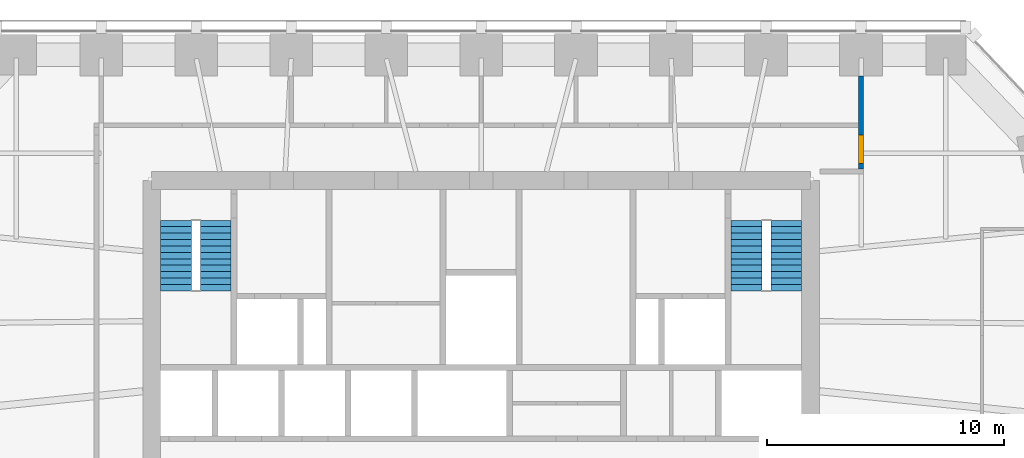
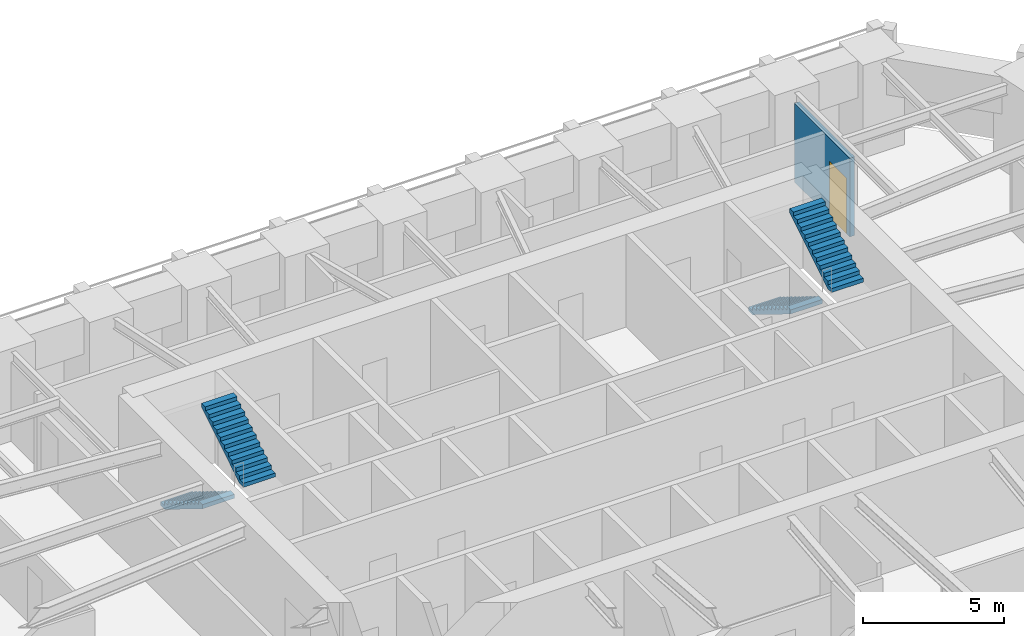
# One storey, part 8 of 10: 4 stair flights, 1 door, 1 wall, 1 opening, 2 elements without a shape of their own.
"""IFC4 building model written with IfcOpenShell, lengths in metres."""

from ifc_helpers import new_model, si_unit, direction, frame, frame_2d, origin, place, context, subcontext, project, spatial, polyline, rectangle, outline, extrude, material, layer, layer_set, type_object, element, fill, aggregate, save


model = new_model("IFC4")

# Units and contexts
model_context = context("Model", 3, precision=1e-05, world=origin(), true_north=direction((0.0, 1.0)))
body_context = subcontext(model_context, "Body", "Model", "MODEL_VIEW")
ifc_project = project(units=[si_unit("LENGTHUNIT", "METRE"), si_unit("AREAUNIT", "SQUARE_METRE"), si_unit("VOLUMEUNIT", "CUBIC_METRE"), si_unit("PLANEANGLEUNIT", "RADIAN"), si_unit("MASSUNIT", "GRAM", prefix="KILO")], contexts=[model_context])

# Site, building, storey
site_placement = place(None, origin())
site = spatial("IfcSite", under=ifc_project, at=site_placement, CompositionType="ELEMENT")
building_placement = place(site_placement, origin())
building = spatial("IfcBuilding", under=site, at=building_placement, Name="Isbrekke Arena Tower", CompositionType="ELEMENT")
storey_placement = place(building_placement, frame((0.0, 0.0, 139.0)))
storey = spatial("IfcBuildingStorey", under=building, at=storey_placement, Name="L31", CompositionType="ELEMENT", Elevation=139.0)

# Wall, opening, door
ifc_material_1 = material(Name="Gypsum board fire-cell wall on steel studs, two layers each side", Category="steel")
ifc_layer = layer(ifc_material_1, 0.199951171875)
ifc_layer_set = layer_set([ifc_layer], Name="IW3 FIRE-CELL WALL 200")
wall_type = type_object("IfcWallType", Name="IW3 FIRE-CELL WALL 200", PredefinedType="PARTITIONING", material=ifc_layer_set)
wall_placement = place(storey_placement, frame((16.0, 24.35009765625, 0.0), z_axis=(0.0, 0.0, 1.0), x_axis=(0.0, 1.0, 0.0)))
wall = element("IfcWall", 1, at=wall_placement, inside=storey, type_object=wall_type, Name="IW3 fire-cell wall 200 L31", PredefinedType="PARTITIONING", context=body_context, shape_type="SweptSolid", body=[
    extrude(rectangle(XDim=3.9248046875, YDim=0.199951171875, at=frame_2d((1.96240234375, 0.0))), origin(), (0.0, 0.0, 1.0), 3.39990234375),
])
opening_placement = place(wall_placement, frame((0.25, 0.0, 0.0)))
opening = element("IfcOpeningElement", 2, at=opening_placement, cuts=wall, Name="Opening D12", PredefinedType="OPENING", context=body_context, shape_type="SweptSolid", body=[
    extrude(rectangle(XDim=1.199951171875, YDim=2.39990234375, at=frame_2d((0.60009765625, 1.199951171875))), frame((0.0, 0.11474609375, 0.0), z_axis=(0.0, -1.0, 0.0), x_axis=(1.0, 0.0, 0.0)), (0.0, 0.0, 1.0), 0.229736328125),
])
ifc_material_2 = material(Name="Timber fire door with vision panel", Category="wood")
door_type = type_object("IfcDoorType", Name="D12 SUITE ENTRANCE DOOR 1200 x 2400", OperationType="SINGLE_SWING_LEFT", PredefinedType="DOOR", material=ifc_material_2)
door_placement = place(opening_placement, origin())
door = element("IfcDoor", 3, at=door_placement, inside=storey, type_object=door_type, Name="D12 suite entrance A door L31", OperationType="SINGLE_SWING_LEFT", OverallHeight=2.39990234375, OverallWidth=1.199951171875, PredefinedType="DOOR", context=body_context, shape_type="SweptSolid", body=[
    extrude(rectangle(XDim=1.199951171875, YDim=2.39990234375, at=frame_2d((0.60009765625, 1.199951171875))), frame((0.0, 0.099609375, 0.0), z_axis=(0.0, -1.0, 0.0), x_axis=(1.0, 0.0, 0.0)), (0.0, 0.0, 1.0), 0.199462890625),
])
fill(opening, door)

# Stair, stair flights
ifc_material_3 = material(Name="Concrete B45 (C45/55) precast", Category="concrete")
stair_type = type_object("IfcStairType", Name="ST40 STAIR 1300 WIDE, 24 RISERS 167", PredefinedType="HALF_TURN_STAIR", material=ifc_material_3)
stair_1_placement = place(storey_placement, origin())
stair_1 = element("IfcStair", 4, at=stair_1_placement, inside=storey, type_object=stair_type, Name="ST1 stair L31", PredefinedType="HALF_TURN_STAIR")
ifc_material_4 = material(Name="Concrete B45 (C45/55) precast", Category="concrete")
stair_flight_type = type_object("IfcStairFlightType", Name="SF 1300 FLIGHT", PredefinedType="STRAIGHT", material=ifc_material_4)
stair_flight_1_placement = place(storey_placement, frame((-12.85009765625, 22.199951171875, 0.0), z_axis=(0.0, 0.0, 1.0), x_axis=(0.0, -1.0, 0.0)))
stair_flight_1 = element("IfcStairFlight", 5, at=stair_flight_1_placement, type_object=stair_flight_type, Name="ST1 flight 1", NumberOfRisers=12, NumberOfTreads=11, PredefinedType="STRAIGHT", RiserHeight=0.166666667, TreadLength=0.27, context=body_context, shape_type="SweptSolid", body=[
    extrude(outline(polyline([(0.0, 0.0), (0.0, 0.166748046875), (0.27001953125, 0.166748046875), (0.27001953125, 0.333251953125), (0.5400390625, 0.333251953125), (0.5400390625, 0.5), (0.81005859375, 0.5), (0.81005859375, 0.666748046875), (1.080078125, 0.666748046875), (1.080078125, 0.833251953125), (1.35009765625, 0.833251953125), (1.35009765625, 1.0), (1.6201171875, 1.0), (1.6201171875, 1.166748046875), (1.889892578125, 1.166748046875), (1.889892578125, 1.333251953125), (2.159912109375, 1.333251953125), (2.159912109375, 1.5), (2.429931640625, 1.5), (2.429931640625, 1.666748046875), (2.699951171875, 1.666748046875), (2.699951171875, 1.833251953125), (2.969970703125, 1.833251953125), (2.969970703125, 2.0), (2.969970703125, 1.6572265625), (0.285400390625, 0.0), (0.0, 0.0)])), frame((0.0, 0.64990234375, 0.0), z_axis=(0.0, -1.0, 0.0), x_axis=(1.0, 0.0, 0.0)), (0.0, 0.0, 1.0), 1.300048828125),
])
stair_flight_2_placement = place(storey_placement, frame((-11.175048828125, 19.22998046875, 2.0), z_axis=(0.0, 0.0, 1.0), x_axis=(0.0, 1.0, 0.0)))
stair_flight_2 = element("IfcStairFlight", 6, at=stair_flight_2_placement, type_object=stair_flight_type, Name="ST1 flight 2", NumberOfRisers=12, NumberOfTreads=11, PredefinedType="STRAIGHT", RiserHeight=0.166666667, TreadLength=0.27, context=body_context, shape_type="SweptSolid", body=[
    extrude(outline(polyline([(0.0, 0.0), (0.0, 0.166748046875), (0.27001953125, 0.166748046875), (0.27001953125, 0.333251953125), (0.5400390625, 0.333251953125), (0.5400390625, 0.5), (0.81005859375, 0.5), (0.81005859375, 0.666748046875), (1.080078125, 0.666748046875), (1.080078125, 0.833251953125), (1.35009765625, 0.833251953125), (1.35009765625, 1.0), (1.6201171875, 1.0), (1.6201171875, 1.166748046875), (1.889892578125, 1.166748046875), (1.889892578125, 1.333251953125), (2.159912109375, 1.333251953125), (2.159912109375, 1.5), (2.429931640625, 1.5), (2.429931640625, 1.666748046875), (2.699951171875, 1.666748046875), (2.699951171875, 1.833251953125), (2.969970703125, 1.833251953125), (2.969970703125, 2.0), (2.969970703125, 1.6572265625), (0.285400390625, 0.0), (0.0, 0.0)])), frame((0.0, 0.64990234375, 0.0), z_axis=(0.0, -1.0, 0.0), x_axis=(1.0, 0.0, 0.0)), (0.0, 0.0, 1.0), 1.300048828125),
])
aggregate(stair_1, [stair_flight_1, stair_flight_2])

stair_2_placement = place(storey_placement, origin())
stair_2 = element("IfcStair", 7, at=stair_2_placement, inside=storey, type_object=stair_type, Name="ST2 stair L31", PredefinedType="HALF_TURN_STAIR")
stair_flight_3_placement = place(storey_placement, frame((11.175048828125, 22.199951171875, 0.0), z_axis=(0.0, 0.0, 1.0), x_axis=(0.0, -1.0, 0.0)))
stair_flight_3 = element("IfcStairFlight", 8, at=stair_flight_3_placement, type_object=stair_flight_type, Name="ST2 flight 1", NumberOfRisers=12, NumberOfTreads=11, PredefinedType="STRAIGHT", RiserHeight=0.166666667, TreadLength=0.27, context=body_context, shape_type="SweptSolid", body=[
    extrude(outline(polyline([(0.0, 0.0), (0.0, 0.166748046875), (0.27001953125, 0.166748046875), (0.27001953125, 0.333251953125), (0.5400390625, 0.333251953125), (0.5400390625, 0.5), (0.81005859375, 0.5), (0.81005859375, 0.666748046875), (1.080078125, 0.666748046875), (1.080078125, 0.833251953125), (1.35009765625, 0.833251953125), (1.35009765625, 1.0), (1.6201171875, 1.0), (1.6201171875, 1.166748046875), (1.889892578125, 1.166748046875), (1.889892578125, 1.333251953125), (2.159912109375, 1.333251953125), (2.159912109375, 1.5), (2.429931640625, 1.5), (2.429931640625, 1.666748046875), (2.699951171875, 1.666748046875), (2.699951171875, 1.833251953125), (2.969970703125, 1.833251953125), (2.969970703125, 2.0), (2.969970703125, 1.6572265625), (0.285400390625, 0.0), (0.0, 0.0)])), frame((0.0, 0.64990234375, 0.0), z_axis=(0.0, -1.0, 0.0), x_axis=(1.0, 0.0, 0.0)), (0.0, 0.0, 1.0), 1.300048828125),
])
stair_flight_4_placement = place(storey_placement, frame((12.85009765625, 19.22998046875, 2.0), z_axis=(0.0, 0.0, 1.0), x_axis=(0.0, 1.0, 0.0)))
stair_flight_4 = element("IfcStairFlight", 9, at=stair_flight_4_placement, type_object=stair_flight_type, Name="ST2 flight 2", NumberOfRisers=12, NumberOfTreads=11, PredefinedType="STRAIGHT", RiserHeight=0.166666667, TreadLength=0.27, context=body_context, shape_type="SweptSolid", body=[
    extrude(outline(polyline([(0.0, 0.0), (0.0, 0.166748046875), (0.27001953125, 0.166748046875), (0.27001953125, 0.333251953125), (0.5400390625, 0.333251953125), (0.5400390625, 0.5), (0.81005859375, 0.5), (0.81005859375, 0.666748046875), (1.080078125, 0.666748046875), (1.080078125, 0.833251953125), (1.35009765625, 0.833251953125), (1.35009765625, 1.0), (1.6201171875, 1.0), (1.6201171875, 1.166748046875), (1.889892578125, 1.166748046875), (1.889892578125, 1.333251953125), (2.159912109375, 1.333251953125), (2.159912109375, 1.5), (2.429931640625, 1.5), (2.429931640625, 1.666748046875), (2.699951171875, 1.666748046875), (2.699951171875, 1.833251953125), (2.969970703125, 1.833251953125), (2.969970703125, 2.0), (2.969970703125, 1.6572265625), (0.285400390625, 0.0), (0.0, 0.0)])), frame((0.0, 0.64990234375, 0.0), z_axis=(0.0, -1.0, 0.0), x_axis=(1.0, 0.0, 0.0)), (0.0, 0.0, 1.0), 1.300048828125),
])
aggregate(stair_2, [stair_flight_3, stair_flight_4])

save(model, "model.ifc")
